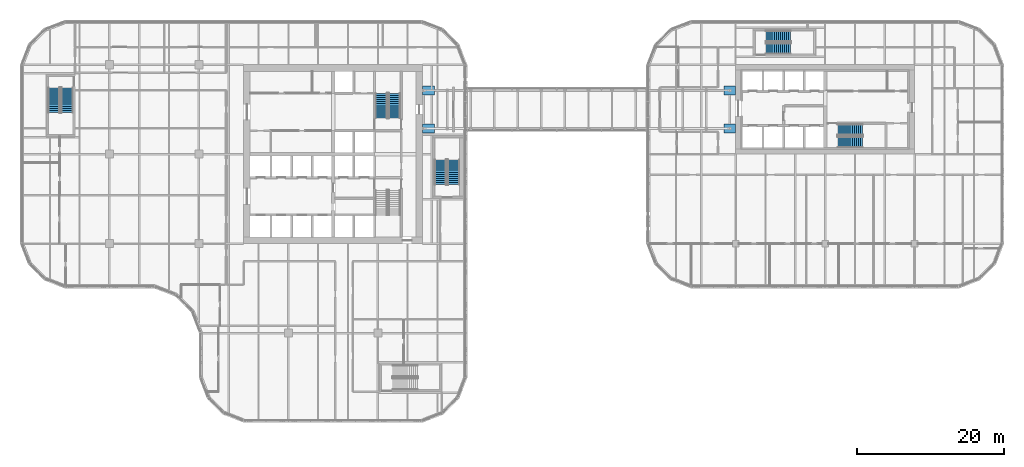
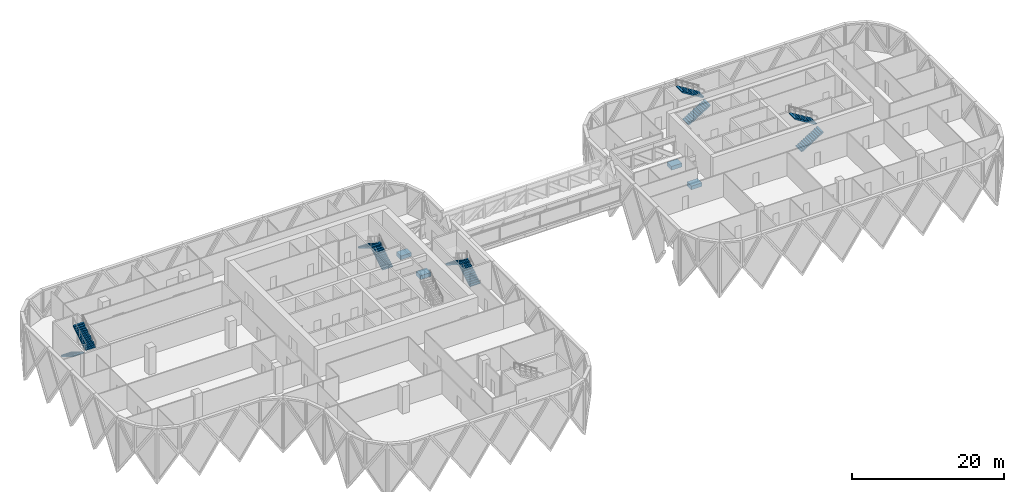
# One storey, part 28 of 30: 10 stair flights, 4 discrete accessories, 5 elements without a shape of their own.
"""IFC4 building model written with IfcOpenShell, lengths in metres."""

from ifc_helpers import new_model, si_unit, direction, frame, origin, origin_2d, place, context, subcontext, project, spatial, polyline, rectangle, outline, extrude, material, type_object, element, aggregate, save


model = new_model("IFC4")

# Units and contexts
model_context = context("Model", 3, precision=1e-05, world=origin(), true_north=direction((0.0, 1.0)))
body_context = subcontext(model_context, "Body", "Model", "MODEL_VIEW")
ifc_project = project(units=[si_unit("LENGTHUNIT", "METRE"), si_unit("AREAUNIT", "SQUARE_METRE"), si_unit("VOLUMEUNIT", "CUBIC_METRE"), si_unit("PLANEANGLEUNIT", "RADIAN"), si_unit("MASSUNIT", "GRAM", prefix="KILO")], contexts=[model_context])

# Site, building, storey
site_placement = place(None, origin())
site = spatial("IfcSite", under=ifc_project, at=site_placement, CompositionType="ELEMENT")
building_placement = place(site_placement, origin())
building = spatial("IfcBuilding", under=site, at=building_placement, Name="Tessera Gate Towers", CompositionType="ELEMENT")
storey_placement = place(building_placement, frame((0.0, 0.0, 21.300048828125)))
storey = spatial("IfcBuildingStorey", under=building, at=storey_placement, Name="L04", CompositionType="ELEMENT", Elevation=21.300048828125)

# Stair, stair flights
ifc_material_1 = material(Name="Concrete C40/50", Category="concrete")
stair_type_1 = type_object("IfcStairType", Name="EXIT STAIR ST2B 1600", PredefinedType="HALF_TURN_STAIR", material=ifc_material_1)
stair_1_placement = place(storey_placement, origin())
stair_1 = element("IfcStair", 1, at=stair_1_placement, inside=storey, type_object=stair_type_1, Name="L04 Protected Exit Stair ST2", PredefinedType="HALF_TURN_STAIR")
ifc_material_2 = material(Name="Concrete C40/50", Category="concrete")
stair_flight_type_1 = type_object("IfcStairFlightType", Name="EXIT STAIR FLIGHT ST2B 1600", PredefinedType="STRAIGHT", material=ifc_material_2)
stair_flight_1_placement = place(storey_placement, frame((51.074951171875, 41.52490234375, 0.0), z_axis=(0.0, 0.0, 1.0), x_axis=(0.0, 1.0, 0.0)))
stair_flight_1 = element("IfcStairFlight", 2, at=stair_flight_1_placement, type_object=stair_flight_type_1, Name="ST2 flight 1", NumberOfRisers=13, NumberOfTreads=12, PredefinedType="STRAIGHT", RiserHeight=0.173076923, TreadLength=0.28, context=body_context, shape_type="SweptSolid", body=[
    extrude(outline(polyline([(0.0, 0.0), (0.0, 0.173095703125), (0.280029296875, 0.173095703125), (0.280029296875, 0.34619140625), (0.56005859375, 0.34619140625), (0.56005859375, 0.519287109375), (0.840087890625, 0.519287109375), (0.840087890625, 0.6923828125), (1.1201171875, 0.6923828125), (1.1201171875, 0.865478515625), (1.39990234375, 0.865478515625), (1.39990234375, 1.03857421875), (1.679931640625, 1.03857421875), (1.679931640625, 1.21142578125), (1.9599609375, 1.21142578125), (1.9599609375, 1.384521484375), (2.239990234375, 1.384521484375), (2.239990234375, 1.5576171875), (2.52001953125, 1.5576171875), (2.52001953125, 1.730712890625), (2.800048828125, 1.730712890625), (2.800048828125, 1.90380859375), (3.080078125, 1.90380859375), (3.080078125, 2.076904296875), (3.360107421875, 2.076904296875), (3.360107421875, 2.25), (3.360107421875, 1.900634765625), (0.28515625, 0.0), (0.0, 0.0)])), frame((0.0, 0.800048828125, 0.0), z_axis=(0.0, -1.0, 0.0), x_axis=(1.0, 0.0, 0.0)), (0.0, 0.0, 1.0), 1.60009765625),
])
stair_flight_2_placement = place(storey_placement, frame((49.27490234375, 44.885009765625, 2.25), z_axis=(0.0, 0.0, 1.0), x_axis=(0.0, -1.0, 0.0)))
stair_flight_2 = element("IfcStairFlight", 3, at=stair_flight_2_placement, type_object=stair_flight_type_1, Name="ST2 flight 2", NumberOfRisers=13, NumberOfTreads=12, PredefinedType="STRAIGHT", RiserHeight=0.173076923, TreadLength=0.28, context=body_context, shape_type="SweptSolid", body=[
    extrude(outline(polyline([(0.0, 0.0), (0.0, 0.173095703125), (0.280029296875, 0.173095703125), (0.280029296875, 0.34619140625), (0.56005859375, 0.34619140625), (0.56005859375, 0.519287109375), (0.840087890625, 0.519287109375), (0.840087890625, 0.6923828125), (1.1201171875, 0.6923828125), (1.1201171875, 0.865478515625), (1.39990234375, 0.865478515625), (1.39990234375, 1.03857421875), (1.679931640625, 1.03857421875), (1.679931640625, 1.21142578125), (1.9599609375, 1.21142578125), (1.9599609375, 1.384521484375), (2.239990234375, 1.384521484375), (2.239990234375, 1.5576171875), (2.52001953125, 1.5576171875), (2.52001953125, 1.730712890625), (2.800048828125, 1.730712890625), (2.800048828125, 1.90380859375), (3.080078125, 1.90380859375), (3.080078125, 2.076904296875), (3.360107421875, 2.076904296875), (3.360107421875, 2.25), (3.360107421875, 1.900634765625), (0.28515625, 0.0), (0.0, 0.0)])), frame((0.0, 0.800048828125, 0.0), z_axis=(0.0, -1.0, 0.0), x_axis=(1.0, 0.0, 0.0)), (0.0, 0.0, 1.0), 1.60009765625),
])
aggregate(stair_1, [stair_flight_1, stair_flight_2])

ifc_material_3 = material(Name="Concrete C40/50", Category="concrete")
stair_type_2 = type_object("IfcStairType", Name="EXIT STAIR ST3B 1600", PredefinedType="HALF_TURN_STAIR", material=ifc_material_3)
stair_2_placement = place(storey_placement, origin())
stair_2 = element("IfcStair", 4, at=stair_2_placement, inside=storey, type_object=stair_type_2, Name="L04 West Exit Stair ST3", PredefinedType="HALF_TURN_STAIR")
ifc_material_4 = material(Name="Concrete C40/50", Category="concrete")
stair_flight_type_2 = type_object("IfcStairFlightType", Name="EXIT STAIR FLIGHT ST3B 1600", PredefinedType="STRAIGHT", material=ifc_material_4)
stair_flight_3_placement = place(storey_placement, frame((4.64990234375, 45.64990234375, 0.0), z_axis=(0.0, 0.0, 1.0), x_axis=(0.0, -1.0, 0.0)))
stair_flight_3 = element("IfcStairFlight", 5, at=stair_flight_3_placement, type_object=stair_flight_type_2, Name="ST3 flight 1", NumberOfRisers=13, NumberOfTreads=12, PredefinedType="STRAIGHT", RiserHeight=0.173076923, TreadLength=0.28, context=body_context, shape_type="SweptSolid", body=[
    extrude(outline(polyline([(0.0, 0.0), (0.0, 0.173095703125), (0.280029296875, 0.173095703125), (0.280029296875, 0.34619140625), (0.56005859375, 0.34619140625), (0.56005859375, 0.519287109375), (0.840087890625, 0.519287109375), (0.840087890625, 0.6923828125), (1.1201171875, 0.6923828125), (1.1201171875, 0.865478515625), (1.39990234375, 0.865478515625), (1.39990234375, 1.03857421875), (1.679931640625, 1.03857421875), (1.679931640625, 1.21142578125), (1.9599609375, 1.21142578125), (1.9599609375, 1.384521484375), (2.239990234375, 1.384521484375), (2.239990234375, 1.5576171875), (2.52001953125, 1.5576171875), (2.52001953125, 1.730712890625), (2.800048828125, 1.730712890625), (2.800048828125, 1.90380859375), (3.080078125, 1.90380859375), (3.080078125, 2.076904296875), (3.360107421875, 2.076904296875), (3.360107421875, 2.25), (3.360107421875, 1.900634765625), (0.28515625, 0.0), (0.0, 0.0)])), frame((0.0, 0.800048828125, 0.0), z_axis=(0.0, -1.0, 0.0), x_axis=(1.0, 0.0, 0.0)), (0.0, 0.0, 1.0), 1.60009765625),
])
stair_flight_4_placement = place(storey_placement, frame((6.449951171875, 42.2900390625, 2.25), z_axis=(0.0, 0.0, 1.0), x_axis=(0.0, 1.0, 0.0)))
stair_flight_4 = element("IfcStairFlight", 6, at=stair_flight_4_placement, type_object=stair_flight_type_2, Name="ST3 flight 2", NumberOfRisers=13, NumberOfTreads=12, PredefinedType="STRAIGHT", RiserHeight=0.173076923, TreadLength=0.28, context=body_context, shape_type="SweptSolid", body=[
    extrude(outline(polyline([(0.0, 0.0), (0.0, 0.173095703125), (0.280029296875, 0.173095703125), (0.280029296875, 0.34619140625), (0.56005859375, 0.34619140625), (0.56005859375, 0.519287109375), (0.840087890625, 0.519287109375), (0.840087890625, 0.6923828125), (1.1201171875, 0.6923828125), (1.1201171875, 0.865478515625), (1.39990234375, 0.865478515625), (1.39990234375, 1.03857421875), (1.679931640625, 1.03857421875), (1.679931640625, 1.21142578125), (1.9599609375, 1.21142578125), (1.9599609375, 1.384521484375), (2.239990234375, 1.384521484375), (2.239990234375, 1.5576171875), (2.52001953125, 1.5576171875), (2.52001953125, 1.730712890625), (2.800048828125, 1.730712890625), (2.800048828125, 1.90380859375), (3.080078125, 1.90380859375), (3.080078125, 2.076904296875), (3.360107421875, 2.076904296875), (3.360107421875, 2.25), (3.360107421875, 1.900634765625), (0.28515625, 0.0), (0.0, 0.0)])), frame((0.0, 0.800048828125, 0.0), z_axis=(0.0, -1.0, 0.0), x_axis=(1.0, 0.0, 0.0)), (0.0, 0.0, 1.0), 1.60009765625),
])
aggregate(stair_2, [stair_flight_3, stair_flight_4])

ifc_material_5 = material(Name="Concrete C40/50", Category="concrete")
stair_type_3 = type_object("IfcStairType", Name="EXIT STAIR ST5B 1600", PredefinedType="HALF_TURN_STAIR", material=ifc_material_5)
stair_3_placement = place(storey_placement, origin())
stair_3 = element("IfcStair", 7, at=stair_3_placement, inside=storey, type_object=stair_type_3, Name="L04 East Exit Stair ST5", PredefinedType="HALF_TURN_STAIR")
ifc_material_6 = material(Name="Concrete C40/50", Category="concrete")
stair_flight_type_3 = type_object("IfcStairFlightType", Name="EXIT STAIR FLIGHT ST5B 1600", PredefinedType="STRAIGHT", material=ifc_material_6)
stair_flight_5_placement = place(storey_placement, frame((59.14990234375, 32.449951171875, 0.0), z_axis=(0.0, 0.0, 1.0), x_axis=(0.0, 1.0, 0.0)))
stair_flight_5 = element("IfcStairFlight", 8, at=stair_flight_5_placement, type_object=stair_flight_type_3, Name="ST5 flight 1", NumberOfRisers=13, NumberOfTreads=12, PredefinedType="STRAIGHT", RiserHeight=0.173076923, TreadLength=0.28, context=body_context, shape_type="SweptSolid", body=[
    extrude(outline(polyline([(0.0, 0.0), (0.0, 0.173095703125), (0.280029296875, 0.173095703125), (0.280029296875, 0.34619140625), (0.56005859375, 0.34619140625), (0.56005859375, 0.519287109375), (0.840087890625, 0.519287109375), (0.840087890625, 0.6923828125), (1.1201171875, 0.6923828125), (1.1201171875, 0.865478515625), (1.39990234375, 0.865478515625), (1.39990234375, 1.03857421875), (1.679931640625, 1.03857421875), (1.679931640625, 1.21142578125), (1.9599609375, 1.21142578125), (1.9599609375, 1.384521484375), (2.239990234375, 1.384521484375), (2.239990234375, 1.5576171875), (2.52001953125, 1.5576171875), (2.52001953125, 1.730712890625), (2.800048828125, 1.730712890625), (2.800048828125, 1.90380859375), (3.080078125, 1.90380859375), (3.080078125, 2.076904296875), (3.360107421875, 2.076904296875), (3.360107421875, 2.25), (3.360107421875, 1.900634765625), (0.28515625, 0.0), (0.0, 0.0)])), frame((0.0, 0.800048828125, 0.0), z_axis=(0.0, -1.0, 0.0), x_axis=(1.0, 0.0, 0.0)), (0.0, 0.0, 1.0), 1.60009765625),
])
stair_flight_6_placement = place(storey_placement, frame((57.35009765625, 35.81005859375, 2.25), z_axis=(0.0, 0.0, 1.0), x_axis=(0.0, -1.0, 0.0)))
stair_flight_6 = element("IfcStairFlight", 9, at=stair_flight_6_placement, type_object=stair_flight_type_3, Name="ST5 flight 2", NumberOfRisers=13, NumberOfTreads=12, PredefinedType="STRAIGHT", RiserHeight=0.173076923, TreadLength=0.28, context=body_context, shape_type="SweptSolid", body=[
    extrude(outline(polyline([(0.0, 0.0), (0.0, 0.173095703125), (0.280029296875, 0.173095703125), (0.280029296875, 0.34619140625), (0.56005859375, 0.34619140625), (0.56005859375, 0.519287109375), (0.840087890625, 0.519287109375), (0.840087890625, 0.6923828125), (1.1201171875, 0.6923828125), (1.1201171875, 0.865478515625), (1.39990234375, 0.865478515625), (1.39990234375, 1.03857421875), (1.679931640625, 1.03857421875), (1.679931640625, 1.21142578125), (1.9599609375, 1.21142578125), (1.9599609375, 1.384521484375), (2.239990234375, 1.384521484375), (2.239990234375, 1.5576171875), (2.52001953125, 1.5576171875), (2.52001953125, 1.730712890625), (2.800048828125, 1.730712890625), (2.800048828125, 1.90380859375), (3.080078125, 1.90380859375), (3.080078125, 2.076904296875), (3.360107421875, 2.076904296875), (3.360107421875, 2.25), (3.360107421875, 1.900634765625), (0.28515625, 0.0), (0.0, 0.0)])), frame((0.0, 0.800048828125, 0.0), z_axis=(0.0, -1.0, 0.0), x_axis=(1.0, 0.0, 0.0)), (0.0, 0.0, 1.0), 1.60009765625),
])
aggregate(stair_3, [stair_flight_5, stair_flight_6])

ifc_material_7 = material(Name="Concrete C40/50", Category="concrete")
stair_type_4 = type_object("IfcStairType", Name="EXIT STAIR ST6B 1500", PredefinedType="HALF_TURN_STAIR", material=ifc_material_7)
stair_4_placement = place(storey_placement, origin())
stair_4 = element("IfcStair", 10, at=stair_4_placement, inside=storey, type_object=stair_type_4, Name="L04 Protected Exit Stair ST6", PredefinedType="HALF_TURN_STAIR")
ifc_material_8 = material(Name="Concrete C40/50", Category="concrete")
stair_flight_type_4 = type_object("IfcStairFlightType", Name="EXIT STAIR FLIGHT ST6B 1500", PredefinedType="STRAIGHT", material=ifc_material_8)
stair_flight_7_placement = place(storey_placement, frame((111.550048828125, 38.25, 0.0), z_axis=(0.0, 0.0, 1.0), x_axis=(1.0, 0.0, 0.0)))
stair_flight_7 = element("IfcStairFlight", 11, at=stair_flight_7_placement, type_object=stair_flight_type_4, Name="ST6 flight 1", NumberOfRisers=13, NumberOfTreads=12, PredefinedType="STRAIGHT", RiserHeight=0.173076923, TreadLength=0.28, context=body_context, shape_type="SweptSolid", body=[
    extrude(outline(polyline([(0.0, 0.0), (0.0, 0.173095703125), (0.280029296875, 0.173095703125), (0.280029296875, 0.34619140625), (0.56005859375, 0.34619140625), (0.56005859375, 0.519287109375), (0.840087890625, 0.519287109375), (0.840087890625, 0.6923828125), (1.1201171875, 0.6923828125), (1.1201171875, 0.865478515625), (1.39990234375, 0.865478515625), (1.39990234375, 1.03857421875), (1.679931640625, 1.03857421875), (1.679931640625, 1.21142578125), (1.9599609375, 1.21142578125), (1.9599609375, 1.384521484375), (2.239990234375, 1.384521484375), (2.239990234375, 1.5576171875), (2.52001953125, 1.5576171875), (2.52001953125, 1.730712890625), (2.800048828125, 1.730712890625), (2.800048828125, 1.90380859375), (3.080078125, 1.90380859375), (3.080078125, 2.076904296875), (3.360107421875, 2.076904296875), (3.360107421875, 2.25), (3.360107421875, 1.900634765625), (0.28515625, 0.0), (0.0, 0.0)])), frame((0.0, 0.75, 0.0), z_axis=(0.0, -1.0, 0.0), x_axis=(1.0, 0.0, 0.0)), (0.0, 0.0, 1.0), 1.5),
])
stair_flight_8_placement = place(storey_placement, frame((114.909912109375, 39.949951171875, 2.25), z_axis=(0.0, 0.0, 1.0), x_axis=(-1.0, 0.0, 0.0)))
stair_flight_8 = element("IfcStairFlight", 12, at=stair_flight_8_placement, type_object=stair_flight_type_4, Name="ST6 flight 2", NumberOfRisers=13, NumberOfTreads=12, PredefinedType="STRAIGHT", RiserHeight=0.173076923, TreadLength=0.28, context=body_context, shape_type="SweptSolid", body=[
    extrude(outline(polyline([(0.0, 0.0), (0.0, 0.173095703125), (0.280029296875, 0.173095703125), (0.280029296875, 0.34619140625), (0.56005859375, 0.34619140625), (0.56005859375, 0.519287109375), (0.840087890625, 0.519287109375), (0.840087890625, 0.6923828125), (1.1201171875, 0.6923828125), (1.1201171875, 0.865478515625), (1.39990234375, 0.865478515625), (1.39990234375, 1.03857421875), (1.679931640625, 1.03857421875), (1.679931640625, 1.21142578125), (1.9599609375, 1.21142578125), (1.9599609375, 1.384521484375), (2.239990234375, 1.384521484375), (2.239990234375, 1.5576171875), (2.52001953125, 1.5576171875), (2.52001953125, 1.730712890625), (2.800048828125, 1.730712890625), (2.800048828125, 1.90380859375), (3.080078125, 1.90380859375), (3.080078125, 2.076904296875), (3.360107421875, 2.076904296875), (3.360107421875, 2.25), (3.360107421875, 1.900634765625), (0.28515625, 0.0), (0.0, 0.0)])), frame((0.0, 0.75, 0.0), z_axis=(0.0, -1.0, 0.0), x_axis=(1.0, 0.0, 0.0)), (0.0, 0.0, 1.0), 1.5),
])
aggregate(stair_4, [stair_flight_7, stair_flight_8])

ifc_material_9 = material(Name="Concrete C40/50", Category="concrete")
stair_type_5 = type_object("IfcStairType", Name="EXIT STAIR ST7B 1500", PredefinedType="HALF_TURN_STAIR", material=ifc_material_9)
stair_5_placement = place(storey_placement, origin())
stair_5 = element("IfcStair", 13, at=stair_5_placement, inside=storey, type_object=stair_type_5, Name="L04 North Exit Stair ST7", PredefinedType="HALF_TURN_STAIR")
ifc_material_10 = material(Name="Concrete C40/50", Category="concrete")
stair_flight_type_5 = type_object("IfcStairFlightType", Name="EXIT STAIR FLIGHT ST7B 1500", PredefinedType="STRAIGHT", material=ifc_material_10)
stair_flight_9_placement = place(storey_placement, frame((101.75, 51.0, 0.0), z_axis=(0.0, 0.0, 1.0), x_axis=(1.0, 0.0, 0.0)))
stair_flight_9 = element("IfcStairFlight", 14, at=stair_flight_9_placement, type_object=stair_flight_type_5, Name="ST7 flight 1", NumberOfRisers=13, NumberOfTreads=12, PredefinedType="STRAIGHT", RiserHeight=0.173076923, TreadLength=0.28, context=body_context, shape_type="SweptSolid", body=[
    extrude(outline(polyline([(0.0, 0.0), (0.0, 0.173095703125), (0.280029296875, 0.173095703125), (0.280029296875, 0.34619140625), (0.56005859375, 0.34619140625), (0.56005859375, 0.519287109375), (0.840087890625, 0.519287109375), (0.840087890625, 0.6923828125), (1.1201171875, 0.6923828125), (1.1201171875, 0.865478515625), (1.39990234375, 0.865478515625), (1.39990234375, 1.03857421875), (1.679931640625, 1.03857421875), (1.679931640625, 1.21142578125), (1.9599609375, 1.21142578125), (1.9599609375, 1.384521484375), (2.239990234375, 1.384521484375), (2.239990234375, 1.5576171875), (2.52001953125, 1.5576171875), (2.52001953125, 1.730712890625), (2.800048828125, 1.730712890625), (2.800048828125, 1.90380859375), (3.080078125, 1.90380859375), (3.080078125, 2.076904296875), (3.360107421875, 2.076904296875), (3.360107421875, 2.25), (3.360107421875, 1.900634765625), (0.28515625, 0.0), (0.0, 0.0)])), frame((0.0, 0.75, 0.0), z_axis=(0.0, -1.0, 0.0), x_axis=(1.0, 0.0, 0.0)), (0.0, 0.0, 1.0), 1.5),
])
stair_flight_10_placement = place(storey_placement, frame((105.110107421875, 52.699951171875, 2.25), z_axis=(0.0, 0.0, 1.0), x_axis=(-1.0, 0.0, 0.0)))
stair_flight_10 = element("IfcStairFlight", 15, at=stair_flight_10_placement, type_object=stair_flight_type_5, Name="ST7 flight 2", NumberOfRisers=13, NumberOfTreads=12, PredefinedType="STRAIGHT", RiserHeight=0.173076923, TreadLength=0.28, context=body_context, shape_type="SweptSolid", body=[
    extrude(outline(polyline([(0.0, 0.0), (0.0, 0.173095703125), (0.280029296875, 0.173095703125), (0.280029296875, 0.34619140625), (0.56005859375, 0.34619140625), (0.56005859375, 0.519287109375), (0.840087890625, 0.519287109375), (0.840087890625, 0.6923828125), (1.1201171875, 0.6923828125), (1.1201171875, 0.865478515625), (1.39990234375, 0.865478515625), (1.39990234375, 1.03857421875), (1.679931640625, 1.03857421875), (1.679931640625, 1.21142578125), (1.9599609375, 1.21142578125), (1.9599609375, 1.384521484375), (2.239990234375, 1.384521484375), (2.239990234375, 1.5576171875), (2.52001953125, 1.5576171875), (2.52001953125, 1.730712890625), (2.800048828125, 1.730712890625), (2.800048828125, 1.90380859375), (3.080078125, 1.90380859375), (3.080078125, 2.076904296875), (3.360107421875, 2.076904296875), (3.360107421875, 2.25), (3.360107421875, 1.900634765625), (0.28515625, 0.0), (0.0, 0.0)])), frame((0.0, 0.75, 0.0), z_axis=(0.0, -1.0, 0.0), x_axis=(1.0, 0.0, 0.0)), (0.0, 0.0, 1.0), 1.5),
])
aggregate(stair_5, [stair_flight_9, stair_flight_10])

# Discrete accessories
ifc_material_11 = material(Name="Concrete C60/75", Category="concrete")
discrete_accessory_type_1 = type_object("IfcDiscreteAccessoryType", Name="BRIDGE BEARING SEAT BR1 FIXED END TESSERA TOWER", PredefinedType="BRACKET", material=ifc_material_11)
for number, where, z_axis, x_axis, name in (
    (16, (55.699951171875, 40.10009765625, -1.885009765625), (0.0, 0.0, 1.0), (1.0, 0.0, 0.0), "BR1 bearing seat fixed end Tessera Tower 1"),
    (17, (55.699951171875, 45.300048828125, -1.885009765625), (0.0, 0.0, 1.0), (1.0, 0.0, 0.0), "BR1 bearing seat fixed end Tessera Tower 2"),
):
    element("IfcDiscreteAccessory", number, at=place(storey_placement, frame(where, z_axis=z_axis, x_axis=x_axis)), inside=storey, type_object=discrete_accessory_type_1, Name=name, PredefinedType="BRACKET", context=body_context, shape_type="SweptSolid", body=[
        extrude(rectangle(XDim=1.60009765625, YDim=1.199951171875, at=origin_2d()), origin(), (0.0, 0.0, 1.0), 0.60009765625),
    ])
ifc_material_12 = material(Name="Concrete C60/75", Category="concrete")
discrete_accessory_type_2 = type_object("IfcDiscreteAccessoryType", Name="BRIDGE BEARING SEAT BR1 SLIDING END GATE TOWER", PredefinedType="BRACKET", material=ifc_material_12)
for number, where, z_axis, x_axis, name in (
    (18, (96.800048828125, 40.10009765625, -1.885009765625), (0.0, 0.0, 1.0), (1.0, 0.0, 0.0), "BR1 bearing seat sliding end Gate Tower 1"),
    (19, (96.800048828125, 45.300048828125, -1.885009765625), (0.0, 0.0, 1.0), (1.0, 0.0, 0.0), "BR1 bearing seat sliding end Gate Tower 2"),
):
    element("IfcDiscreteAccessory", number, at=place(storey_placement, frame(where, z_axis=z_axis, x_axis=x_axis)), inside=storey, type_object=discrete_accessory_type_2, Name=name, PredefinedType="BRACKET", context=body_context, shape_type="SweptSolid", body=[
        extrude(rectangle(XDim=1.60009765625, YDim=1.199951171875, at=origin_2d()), origin(), (0.0, 0.0, 1.0), 0.60009765625),
    ])

save(model, "model.ifc")
